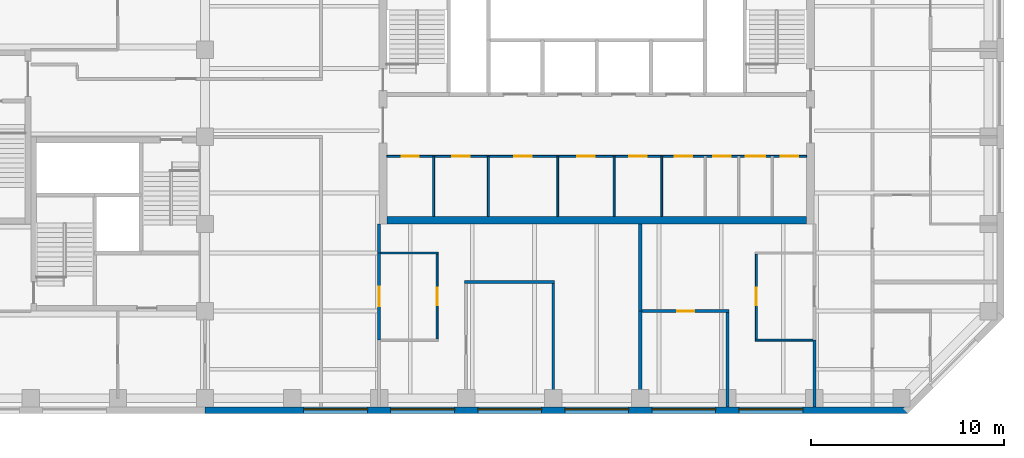
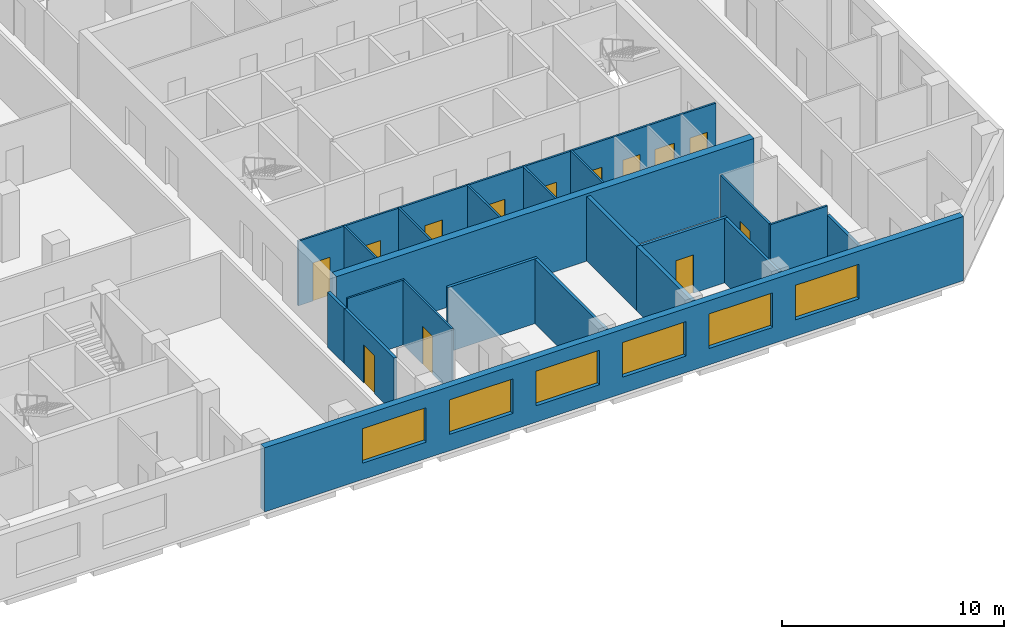
# One storey, part 4 of 9: 21 walls, 13 doors, 6 windows, 19 openings.
"""IFC4 building model written with IfcOpenShell, lengths in metres."""

from ifc_helpers import new_model, si_unit, direction, frame, frame_2d, origin, place, context, subcontext, project, spatial, rectangle, extrude, material, layer, layer_set, constituent, constituent_set, type_object, element, fill, save


model = new_model("IFC4")

# Units and contexts
model_context = context("Model", 3, precision=1e-05, world=origin(), true_north=direction((0.0, 1.0)))
body_context = subcontext(model_context, "Body", "Model", "MODEL_VIEW")
ifc_project = project(units=[si_unit("LENGTHUNIT", "METRE"), si_unit("AREAUNIT", "SQUARE_METRE"), si_unit("VOLUMEUNIT", "CUBIC_METRE"), si_unit("PLANEANGLEUNIT", "RADIAN"), si_unit("MASSUNIT", "GRAM", prefix="KILO")], contexts=[model_context])

# Site, building, storey
site_placement = place(None, origin())
site = spatial("IfcSite", under=ifc_project, at=site_placement, CompositionType="ELEMENT")
building_placement = place(site_placement, origin())
building = spatial("IfcBuilding", under=site, at=building_placement, Name="Quoin Convention Tower", CompositionType="ELEMENT")
storey_placement = place(building_placement, frame((0.0, 0.0, 162.5)))
storey = spatial("IfcBuildingStorey", under=building, at=storey_placement, Name="L42", CompositionType="ELEMENT", Elevation=162.5)

# Wall, opening, door
ifc_material_1 = material(Name="Plasterboard")
ifc_layer_1 = layer(ifc_material_1, 0.012451171875, Name="Finish")
ifc_material_2 = material(Name="Steel stud framing", Category="steel")
ifc_layer_2 = layer(ifc_material_2, 0.125, Name="Structure")
ifc_layer_3 = layer(ifc_material_1, 0.012451171875, Name="Finish")
ifc_layer_set_1 = layer_set([ifc_layer_1, ifc_layer_2, ifc_layer_3], Name="Steel stud framing")
wall_type_1 = type_object("IfcWallType", Name="Acoustic partition 150", PredefinedType="PARTITIONING", material=ifc_layer_set_1)
wall_1_placement = place(storey_placement, frame((58.60009765625, 45.0, 0.0), z_axis=(0.0, 0.0, 1.0), x_axis=(1.0, 0.0, 0.0)))
wall_1 = element("IfcWall", 1, at=wall_1_placement, inside=storey, type_object=wall_type_1, Name="pw-L42-005", PredefinedType="PARTITIONING", context=body_context, shape_type="SweptSolid", body=[
    extrude(rectangle(XDim=4.474853515625, YDim=0.14990234375, at=frame_2d((2.2373046875, 0.0))), origin(), (0.0, 0.0, 1.0), 3.550048828125),
])
opening_1_placement = place(wall_1_placement, frame((1.800048828125, 0.0, 0.0)))
opening_1 = element("IfcOpeningElement", 2, at=opening_1_placement, cuts=wall_1, Name="Opening DOH3-01", PredefinedType="OPENING", context=body_context, shape_type="SweptSolid", body=[
    extrude(rectangle(XDim=0.89990234375, YDim=2.10009765625, at=frame_2d((0.449951171875, 1.050048828125))), frame((0.0, 0.0849609375, 0.0), z_axis=(0.0, -1.0, 0.0), x_axis=(1.0, 0.0, 0.0)), (0.0, 0.0, 1.0), 0.169921875),
])
ifc_material_3 = material(Name="Steel door leaf", Category="steel")
door_type_1 = type_object("IfcDoorType", Name="Office door 900 x 2100", OperationType="SINGLE_SWING_RIGHT", PredefinedType="DOOR", material=ifc_material_3)
door_1_placement = place(opening_1_placement, origin())
door_1 = element("IfcDoor", 3, at=door_1_placement, inside=storey, type_object=door_type_1, Name="dr-L42-13", OperationType="SINGLE_SWING_RIGHT", OverallHeight=2.10009765625, OverallWidth=0.89990234375, PredefinedType="DOOR", context=body_context, shape_type="SweptSolid", body=[
    extrude(rectangle(XDim=0.89990234375, YDim=2.10009765625, at=frame_2d((0.449951171875, 1.050048828125))), frame((0.0, 0.02490234375, 0.0), z_axis=(0.0, -1.0, 0.0), x_axis=(1.0, 0.0, 0.0)), (0.0, 0.0, 1.0), 0.050048828125),
])
fill(opening_1, door_1)

# Walls
wall_2_placement = place(storey_placement, frame((49.425048828125, 46.5, 0.0), z_axis=(0.0, 0.0, 1.0), x_axis=(1.0, 0.0, 0.0)))
element("IfcWall", 4, at=wall_2_placement, inside=storey, type_object=wall_type_1, Name="pw-L42-008", PredefinedType="PARTITIONING", context=body_context, shape_type="SweptSolid", body=[
    extrude(rectangle(XDim=4.64990234375, YDim=0.14990234375, at=frame_2d((2.324951171875, 0.0))), origin(), (0.0, 0.0, 1.0), 3.550048828125),
])
wall_3_placement = place(storey_placement, frame((54.0, 40.050048828125, 0.0), z_axis=(0.0, 0.0, 1.0), x_axis=(0.0, 1.0, 0.0)))
element("IfcWall", 5, at=wall_3_placement, inside=storey, type_object=wall_type_1, Name="pw-L42-040", PredefinedType="PARTITIONING", context=body_context, shape_type="SweptSolid", body=[
    extrude(rectangle(XDim=6.375, YDim=0.14990234375, at=frame_2d((3.1875, 0.0))), origin(), (0.0, 0.0, 1.0), 3.550048828125),
])
wall_4_placement = place(storey_placement, frame((63.0, 40.050048828125, 0.0), z_axis=(0.0, 0.0, 1.0), x_axis=(0.0, 1.0, 0.0)))
element("IfcWall", 6, at=wall_4_placement, inside=storey, type_object=wall_type_1, Name="pw-L42-042", PredefinedType="PARTITIONING", context=body_context, shape_type="SweptSolid", body=[
    extrude(rectangle(XDim=4.875, YDim=0.14990234375, at=frame_2d((2.4375, 0.0))), origin(), (0.0, 0.0, 1.0), 3.550048828125),
])

# Wall, openings, windows
ifc_material_4 = material(Name="Brick masonry", Category="masonry")
ifc_layer_4 = layer(ifc_material_4, 0.35009765625)
ifc_layer_set_2 = layer_set([ifc_layer_4], Name="Brick masonry")
wall_type_2 = type_object("IfcWallType", Name="Brick facade wall", PredefinedType="STANDARD", material=ifc_layer_set_2)
wall_5_placement = place(storey_placement, frame((36.0, 39.875, 0.0), z_axis=(0.0, 0.0, 1.0), x_axis=(1.0, 0.0, 0.0)))
wall_5 = element("IfcWall", 7, at=wall_5_placement, inside=storey, type_object=wall_type_2, Name="fw-L42-36000_40500", PredefinedType="STANDARD", context=body_context, shape_type="SweptSolid", body=[
    extrude(rectangle(XDim=36.331298828125, YDim=0.35009765625, at=frame_2d((18.16552734375, 0.0))), origin(), (0.0, 0.0, 1.0), 3.52490234375),
])
opening_2_placement = place(wall_5_placement, frame((5.10009765625, 0.0, 0.89990234375)))
opening_2 = element("IfcOpeningElement", 8, at=opening_2_placement, cuts=wall_5, Name="Opening W-02", PredefinedType="OPENING", context=body_context, shape_type="SweptSolid", body=[
    extrude(rectangle(XDim=3.300048828125, YDim=1.89990234375, at=frame_2d((1.64990234375, 0.949951171875))), frame((0.0, 0.18505859375, 0.0), z_axis=(0.0, -1.0, 0.0), x_axis=(1.0, 0.0, 0.0)), (0.0, 0.0, 1.0), 0.3701171875),
])
opening_3_placement = place(wall_5_placement, frame((9.60009765625, 0.0, 0.89990234375)))
opening_3 = element("IfcOpeningElement", 9, at=opening_3_placement, cuts=wall_5, Name="Opening W-02", PredefinedType="OPENING", context=body_context, shape_type="SweptSolid", body=[
    extrude(rectangle(XDim=3.300048828125, YDim=1.89990234375, at=frame_2d((1.64990234375, 0.949951171875))), frame((0.0, 0.18505859375, 0.0), z_axis=(0.0, -1.0, 0.0), x_axis=(1.0, 0.0, 0.0)), (0.0, 0.0, 1.0), 0.3701171875),
])
opening_4_placement = place(wall_5_placement, frame((14.10009765625, 0.0, 0.89990234375)))
opening_4 = element("IfcOpeningElement", 10, at=opening_4_placement, cuts=wall_5, Name="Opening W-02", PredefinedType="OPENING", context=body_context, shape_type="SweptSolid", body=[
    extrude(rectangle(XDim=3.300048828125, YDim=1.89990234375, at=frame_2d((1.64990234375, 0.949951171875))), frame((0.0, 0.18505859375, 0.0), z_axis=(0.0, -1.0, 0.0), x_axis=(1.0, 0.0, 0.0)), (0.0, 0.0, 1.0), 0.3701171875),
])
opening_5_placement = place(wall_5_placement, frame((18.60009765625, 0.0, 0.89990234375)))
opening_5 = element("IfcOpeningElement", 11, at=opening_5_placement, cuts=wall_5, Name="Opening W-02", PredefinedType="OPENING", context=body_context, shape_type="SweptSolid", body=[
    extrude(rectangle(XDim=3.300048828125, YDim=1.89990234375, at=frame_2d((1.64990234375, 0.949951171875))), frame((0.0, 0.18505859375, 0.0), z_axis=(0.0, -1.0, 0.0), x_axis=(1.0, 0.0, 0.0)), (0.0, 0.0, 1.0), 0.3701171875),
])
opening_6_placement = place(wall_5_placement, frame((23.10009765625, 0.0, 0.89990234375)))
opening_6 = element("IfcOpeningElement", 12, at=opening_6_placement, cuts=wall_5, Name="Opening W-02", PredefinedType="OPENING", context=body_context, shape_type="SweptSolid", body=[
    extrude(rectangle(XDim=3.300048828125, YDim=1.89990234375, at=frame_2d((1.64990234375, 0.949951171875))), frame((0.0, 0.18505859375, 0.0), z_axis=(0.0, -1.0, 0.0), x_axis=(1.0, 0.0, 0.0)), (0.0, 0.0, 1.0), 0.3701171875),
])
opening_7_placement = place(wall_5_placement, frame((27.60009765625, 0.0, 0.89990234375)))
opening_7 = element("IfcOpeningElement", 13, at=opening_7_placement, cuts=wall_5, Name="Opening W-02", PredefinedType="OPENING", context=body_context, shape_type="SweptSolid", body=[
    extrude(rectangle(XDim=3.300048828125, YDim=1.89990234375, at=frame_2d((1.64990234375, 0.949951171875))), frame((0.0, 0.18505859375, 0.0), z_axis=(0.0, -1.0, 0.0), x_axis=(1.0, 0.0, 0.0)), (0.0, 0.0, 1.0), 0.3701171875),
])
ifc_material_5 = material(Name="Aluminium", Category="aluminium")
ifc_constituent_1 = constituent(ifc_material_5, Name="Frame")
ifc_material_6 = material(Name="Insulated glass", Category="glass")
ifc_constituent_2 = constituent(ifc_material_6, Name="Glazing")
ifc_constituent_set = constituent_set(constituents=[ifc_constituent_1, ifc_constituent_2], Name="Aluminium")
window_type = type_object("IfcWindowType", Name="Office window", PartitioningType="DOUBLE_PANEL_VERTICAL", PredefinedType="WINDOW", material=ifc_constituent_set)
window_1_placement = place(opening_2_placement, origin())
window_1 = element("IfcWindow", 14, at=window_1_placement, inside=storey, type_object=window_type, Name="win-L42-42750_39875", OverallHeight=1.89990234375, OverallWidth=3.300048828125, PartitioningType="SINGLE_PANEL", PredefinedType="WINDOW", context=body_context, shape_type="SweptSolid", body=[
    extrude(rectangle(XDim=3.300048828125, YDim=1.89990234375, at=frame_2d((1.64990234375, 0.949951171875))), frame((0.0, 0.0849609375, 0.0), z_axis=(0.0, -1.0, 0.0), x_axis=(1.0, 0.0, 0.0)), (0.0, 0.0, 1.0), 0.06005859375),
])
fill(opening_2, window_1)
window_2_placement = place(opening_3_placement, origin())
window_2 = element("IfcWindow", 15, at=window_2_placement, inside=storey, type_object=window_type, Name="win-L42-47250_39875", OverallHeight=1.89990234375, OverallWidth=3.300048828125, PartitioningType="SINGLE_PANEL", PredefinedType="WINDOW", context=body_context, shape_type="SweptSolid", body=[
    extrude(rectangle(XDim=3.300048828125, YDim=1.89990234375, at=frame_2d((1.64990234375, 0.949951171875))), frame((0.0, 0.0849609375, 0.0), z_axis=(0.0, -1.0, 0.0), x_axis=(1.0, 0.0, 0.0)), (0.0, 0.0, 1.0), 0.06005859375),
])
fill(opening_3, window_2)
window_3_placement = place(opening_4_placement, origin())
window_3 = element("IfcWindow", 16, at=window_3_placement, inside=storey, type_object=window_type, Name="win-L42-51750_39875", OverallHeight=1.89990234375, OverallWidth=3.300048828125, PartitioningType="SINGLE_PANEL", PredefinedType="WINDOW", context=body_context, shape_type="SweptSolid", body=[
    extrude(rectangle(XDim=3.300048828125, YDim=1.89990234375, at=frame_2d((1.64990234375, 0.949951171875))), frame((0.0, 0.0849609375, 0.0), z_axis=(0.0, -1.0, 0.0), x_axis=(1.0, 0.0, 0.0)), (0.0, 0.0, 1.0), 0.06005859375),
])
fill(opening_4, window_3)
window_4_placement = place(opening_5_placement, origin())
window_4 = element("IfcWindow", 17, at=window_4_placement, inside=storey, type_object=window_type, Name="win-L42-56250_39875", OverallHeight=1.89990234375, OverallWidth=3.300048828125, PartitioningType="SINGLE_PANEL", PredefinedType="WINDOW", context=body_context, shape_type="SweptSolid", body=[
    extrude(rectangle(XDim=3.300048828125, YDim=1.89990234375, at=frame_2d((1.64990234375, 0.949951171875))), frame((0.0, 0.0849609375, 0.0), z_axis=(0.0, -1.0, 0.0), x_axis=(1.0, 0.0, 0.0)), (0.0, 0.0, 1.0), 0.06005859375),
])
fill(opening_5, window_4)
window_5_placement = place(opening_6_placement, origin())
window_5 = element("IfcWindow", 18, at=window_5_placement, inside=storey, type_object=window_type, Name="win-L42-60750_39875", OverallHeight=1.89990234375, OverallWidth=3.300048828125, PartitioningType="SINGLE_PANEL", PredefinedType="WINDOW", context=body_context, shape_type="SweptSolid", body=[
    extrude(rectangle(XDim=3.300048828125, YDim=1.89990234375, at=frame_2d((1.64990234375, 0.949951171875))), frame((0.0, 0.0849609375, 0.0), z_axis=(0.0, -1.0, 0.0), x_axis=(1.0, 0.0, 0.0)), (0.0, 0.0, 1.0), 0.06005859375),
])
fill(opening_6, window_5)
window_6_placement = place(opening_7_placement, origin())
window_6 = element("IfcWindow", 19, at=window_6_placement, inside=storey, type_object=window_type, Name="win-L42-65250_39875", OverallHeight=1.89990234375, OverallWidth=3.300048828125, PartitioningType="SINGLE_PANEL", PredefinedType="WINDOW", context=body_context, shape_type="SweptSolid", body=[
    extrude(rectangle(XDim=3.300048828125, YDim=1.89990234375, at=frame_2d((1.64990234375, 0.949951171875))), frame((0.0, 0.0849609375, 0.0), z_axis=(0.0, -1.0, 0.0), x_axis=(1.0, 0.0, 0.0)), (0.0, 0.0, 1.0), 0.06005859375),
])
fill(opening_7, window_6)

# Wall, openings, doors
ifc_layer_5 = layer(ifc_material_1, 0.012451171875, Name="Finish")
ifc_layer_6 = layer(ifc_material_2, 0.074951171875, Name="Structure")
ifc_layer_7 = layer(ifc_material_1, 0.012451171875, Name="Finish")
ifc_layer_set_3 = layer_set([ifc_layer_5, ifc_layer_6, ifc_layer_7], Name="Steel stud framing")
wall_type_3 = type_object("IfcWallType", Name="Core partition wall", PredefinedType="PARTITIONING", material=ifc_layer_set_3)
wall_6_placement = place(storey_placement, frame((45.39990234375, 53.0, 0.0), z_axis=(0.0, 0.0, 1.0), x_axis=(1.0, 0.0, 0.0)))
wall_6 = element("IfcWall", 20, at=wall_6_placement, inside=storey, type_object=wall_type_3, Name="cr-C1-L42-h3500_400", PredefinedType="PARTITIONING", context=body_context, shape_type="SweptSolid", body=[
    extrude(rectangle(XDim=21.7001953125, YDim=0.10009765625, at=frame_2d((10.85009765625, 0.0))), origin(), (0.0, 0.0, 1.0), 3.550048828125),
])
opening_8_placement = place(wall_6_placement, frame((20.357421875, 0.0, 0.0)))
opening_8 = element("IfcOpeningElement", 21, at=opening_8_placement, cuts=wall_6, Name="Opening DCV2-32", PredefinedType="OPENING", context=body_context, shape_type="SweptSolid", body=[
    extrude(rectangle(XDim=0.89990234375, YDim=2.10009765625, at=frame_2d((0.449951171875, 1.050048828125))), frame((0.0, 0.06005859375, 0.0), z_axis=(0.0, -1.0, 0.0), x_axis=(1.0, 0.0, 0.0)), (0.0, 0.0, 1.0), 0.1201171875),
])
opening_9_placement = place(wall_6_placement, frame((18.548828125, 0.0, 0.0)))
opening_9 = element("IfcOpeningElement", 22, at=opening_9_placement, cuts=wall_6, Name="Opening DCV2-31", PredefinedType="OPENING", context=body_context, shape_type="SweptSolid", body=[
    extrude(rectangle(XDim=1.0, YDim=2.10009765625, at=frame_2d((0.5, 1.050048828125))), frame((0.0, 0.06005859375, 0.0), z_axis=(0.0, -1.0, 0.0), x_axis=(1.0, 0.0, 0.0)), (0.0, 0.0, 1.0), 0.1201171875),
])
opening_10_placement = place(wall_6_placement, frame((16.8662109375, 0.0, 0.0)))
opening_10 = element("IfcOpeningElement", 23, at=opening_10_placement, cuts=wall_6, Name="Opening DCV2-30", PredefinedType="OPENING", context=body_context, shape_type="SweptSolid", body=[
    extrude(rectangle(XDim=0.89990234375, YDim=2.10009765625, at=frame_2d((0.449951171875, 1.050048828125))), frame((0.0, 0.06005859375, 0.0), z_axis=(0.0, -1.0, 0.0), x_axis=(1.0, 0.0, 0.0)), (0.0, 0.0, 1.0), 0.1201171875),
])
opening_11_placement = place(wall_6_placement, frame((0.757568359375, 0.0, 0.0)))
opening_11 = element("IfcOpeningElement", 24, at=opening_11_placement, cuts=wall_6, Name="Opening DCV2-22", PredefinedType="OPENING", context=body_context, shape_type="SweptSolid", body=[
    extrude(rectangle(XDim=0.89990234375, YDim=2.10009765625, at=frame_2d((0.449951171875, 1.050048828125))), frame((0.0, 0.06005859375, 0.0), z_axis=(0.0, -1.0, 0.0), x_axis=(1.0, 0.0, 0.0)), (0.0, 0.0, 1.0), 0.1201171875),
])
opening_12_placement = place(wall_6_placement, frame((3.382568359375, 0.0, 0.0)))
opening_12 = element("IfcOpeningElement", 25, at=opening_12_placement, cuts=wall_6, Name="Opening DCV2-23", PredefinedType="OPENING", context=body_context, shape_type="SweptSolid", body=[
    extrude(rectangle(XDim=0.89990234375, YDim=2.10009765625, at=frame_2d((0.449951171875, 1.050048828125))), frame((0.0, 0.06005859375, 0.0), z_axis=(0.0, -1.0, 0.0), x_axis=(1.0, 0.0, 0.0)), (0.0, 0.0, 1.0), 0.1201171875),
])
opening_13_placement = place(wall_6_placement, frame((6.592041015625, 0.0, 0.0)))
opening_13 = element("IfcOpeningElement", 26, at=opening_13_placement, cuts=wall_6, Name="Opening DCV2-24", PredefinedType="OPENING", context=body_context, shape_type="SweptSolid", body=[
    extrude(rectangle(XDim=0.89990234375, YDim=2.10009765625, at=frame_2d((0.449951171875, 1.050048828125))), frame((0.0, 0.06005859375, 0.0), z_axis=(0.0, -1.0, 0.0), x_axis=(1.0, 0.0, 0.0)), (0.0, 0.0, 1.0), 0.1201171875),
])
opening_14_placement = place(wall_6_placement, frame((9.840087890625, 0.0, 0.0)))
opening_14 = element("IfcOpeningElement", 27, at=opening_14_placement, cuts=wall_6, Name="Opening DCV2-26", PredefinedType="OPENING", context=body_context, shape_type="SweptSolid", body=[
    extrude(rectangle(XDim=0.89990234375, YDim=2.10009765625, at=frame_2d((0.449951171875, 1.050048828125))), frame((0.0, 0.06005859375, 0.0), z_axis=(0.0, -1.0, 0.0), x_axis=(1.0, 0.0, 0.0)), (0.0, 0.0, 1.0), 0.1201171875),
])
opening_15_placement = place(wall_6_placement, frame((12.528076171875, 0.0, 0.0)))
opening_15 = element("IfcOpeningElement", 28, at=opening_15_placement, cuts=wall_6, Name="Opening DCV2-27", PredefinedType="OPENING", context=body_context, shape_type="SweptSolid", body=[
    extrude(rectangle(XDim=0.89990234375, YDim=2.10009765625, at=frame_2d((0.449951171875, 1.050048828125))), frame((0.0, 0.06005859375, 0.0), z_axis=(0.0, -1.0, 0.0), x_axis=(1.0, 0.0, 0.0)), (0.0, 0.0, 1.0), 0.1201171875),
])
opening_16_placement = place(wall_6_placement, frame((14.8798828125, 0.0, 0.0)))
opening_16 = element("IfcOpeningElement", 29, at=opening_16_placement, cuts=wall_6, Name="Opening DCV2-29", PredefinedType="OPENING", context=body_context, shape_type="SweptSolid", body=[
    extrude(rectangle(XDim=0.89990234375, YDim=2.10009765625, at=frame_2d((0.449951171875, 1.050048828125))), frame((0.0, 0.06005859375, 0.0), z_axis=(0.0, -1.0, 0.0), x_axis=(1.0, 0.0, 0.0)), (0.0, 0.0, 1.0), 0.1201171875),
])
door_type_2 = type_object("IfcDoorType", Name="Core room door 1000 x 2100", OperationType="SINGLE_SWING_LEFT", PredefinedType="DOOR", material=ifc_material_3)
door_2_placement = place(opening_9_placement, frame((1.0, 0.0, 0.0), z_axis=(0.0, 0.0, 1.0), x_axis=(-1.0, 0.0, 0.0)))
door_2 = element("IfcDoor", 30, at=door_2_placement, inside=storey, type_object=door_type_2, Name="cd-C1-L42-CSE1-lobA-CD4211", OperationType="SINGLE_SWING_LEFT", OverallHeight=2.10009765625, OverallWidth=1.0, PredefinedType="DOOR", context=body_context, shape_type="SweptSolid", body=[
    extrude(rectangle(XDim=1.0, YDim=2.10009765625, at=frame_2d((0.5, 1.050048828125))), frame((0.0, 0.02490234375, 0.0), z_axis=(0.0, -1.0, 0.0), x_axis=(1.0, 0.0, 0.0)), (0.0, 0.0, 1.0), 0.050048828125),
])
fill(opening_9, door_2)
door_type_3 = type_object("IfcDoorType", Name="Core room door 900 x 2100", OperationType="SINGLE_SWING_LEFT", PredefinedType="DOOR", material=ifc_material_3)
door_3_placement = place(opening_8_placement, frame((0.89990234375, 0.0, 0.0), z_axis=(0.0, 0.0, 1.0), x_axis=(-1.0, 0.0, 0.0)))
door_3 = element("IfcDoor", 31, at=door_3_placement, inside=storey, type_object=door_type_3, Name="cd-C1-L42-CSE0-lobA-CD4210", OperationType="SINGLE_SWING_LEFT", OverallHeight=2.10009765625, OverallWidth=0.89990234375, PredefinedType="DOOR", context=body_context, shape_type="SweptSolid", body=[
    extrude(rectangle(XDim=0.89990234375, YDim=2.10009765625, at=frame_2d((0.449951171875, 1.050048828125))), frame((0.0, 0.02490234375, 0.0), z_axis=(0.0, -1.0, 0.0), x_axis=(1.0, 0.0, 0.0)), (0.0, 0.0, 1.0), 0.050048828125),
])
fill(opening_8, door_3)
door_4_placement = place(opening_10_placement, frame((0.89990234375, 0.0, 0.0), z_axis=(0.0, 0.0, 1.0), x_axis=(-1.0, 0.0, 0.0)))
door_4 = element("IfcDoor", 32, at=door_4_placement, inside=storey, type_object=door_type_3, Name="cd-C1-L42-CSE2-lobA-CD4212", OperationType="SINGLE_SWING_LEFT", OverallHeight=2.10009765625, OverallWidth=0.89990234375, PredefinedType="DOOR", context=body_context, shape_type="SweptSolid", body=[
    extrude(rectangle(XDim=0.89990234375, YDim=2.10009765625, at=frame_2d((0.449951171875, 1.050048828125))), frame((0.0, 0.02490234375, 0.0), z_axis=(0.0, -1.0, 0.0), x_axis=(1.0, 0.0, 0.0)), (0.0, 0.0, 1.0), 0.050048828125),
])
fill(opening_10, door_4)
door_5_placement = place(opening_11_placement, frame((0.89990234375, 0.0, 0.0), z_axis=(0.0, 0.0, 1.0), x_axis=(-1.0, 0.0, 0.0)))
door_5 = element("IfcDoor", 33, at=door_5_placement, inside=storey, type_object=door_type_3, Name="cd-C1-L42-CSW0-lobA-CD4213", OperationType="SINGLE_SWING_LEFT", OverallHeight=2.10009765625, OverallWidth=0.89990234375, PredefinedType="DOOR", context=body_context, shape_type="SweptSolid", body=[
    extrude(rectangle(XDim=0.89990234375, YDim=2.10009765625, at=frame_2d((0.449951171875, 1.050048828125))), frame((0.0, 0.02490234375, 0.0), z_axis=(0.0, -1.0, 0.0), x_axis=(1.0, 0.0, 0.0)), (0.0, 0.0, 1.0), 0.050048828125),
])
fill(opening_11, door_5)
door_6_placement = place(opening_12_placement, frame((0.89990234375, 0.0, 0.0), z_axis=(0.0, 0.0, 1.0), x_axis=(-1.0, 0.0, 0.0)))
door_6 = element("IfcDoor", 34, at=door_6_placement, inside=storey, type_object=door_type_3, Name="cd-C1-L42-CSW1-lobA-CD4214", OperationType="SINGLE_SWING_LEFT", OverallHeight=2.10009765625, OverallWidth=0.89990234375, PredefinedType="DOOR", context=body_context, shape_type="SweptSolid", body=[
    extrude(rectangle(XDim=0.89990234375, YDim=2.10009765625, at=frame_2d((0.449951171875, 1.050048828125))), frame((0.0, 0.02490234375, 0.0), z_axis=(0.0, -1.0, 0.0), x_axis=(1.0, 0.0, 0.0)), (0.0, 0.0, 1.0), 0.050048828125),
])
fill(opening_12, door_6)
door_7_placement = place(opening_13_placement, frame((0.89990234375, 0.0, 0.0), z_axis=(0.0, 0.0, 1.0), x_axis=(-1.0, 0.0, 0.0)))
door_7 = element("IfcDoor", 35, at=door_7_placement, inside=storey, type_object=door_type_3, Name="cd-C1-L42-F10-lobA-CD4215", OperationType="SINGLE_SWING_LEFT", OverallHeight=2.10009765625, OverallWidth=0.89990234375, PredefinedType="DOOR", context=body_context, shape_type="SweptSolid", body=[
    extrude(rectangle(XDim=0.89990234375, YDim=2.10009765625, at=frame_2d((0.449951171875, 1.050048828125))), frame((0.0, 0.02490234375, 0.0), z_axis=(0.0, -1.0, 0.0), x_axis=(1.0, 0.0, 0.0)), (0.0, 0.0, 1.0), 0.050048828125),
])
fill(opening_13, door_7)
door_8_placement = place(opening_14_placement, frame((0.89990234375, 0.0, 0.0), z_axis=(0.0, 0.0, 1.0), x_axis=(-1.0, 0.0, 0.0)))
door_8 = element("IfcDoor", 36, at=door_8_placement, inside=storey, type_object=door_type_3, Name="cd-C1-L42-F11-lobA-CD4216", OperationType="SINGLE_SWING_LEFT", OverallHeight=2.10009765625, OverallWidth=0.89990234375, PredefinedType="DOOR", context=body_context, shape_type="SweptSolid", body=[
    extrude(rectangle(XDim=0.89990234375, YDim=2.10009765625, at=frame_2d((0.449951171875, 1.050048828125))), frame((0.0, 0.02490234375, 0.0), z_axis=(0.0, -1.0, 0.0), x_axis=(1.0, 0.0, 0.0)), (0.0, 0.0, 1.0), 0.050048828125),
])
fill(opening_14, door_8)
door_9_placement = place(opening_15_placement, frame((0.89990234375, 0.0, 0.0), z_axis=(0.0, 0.0, 1.0), x_axis=(-1.0, 0.0, 0.0)))
door_9 = element("IfcDoor", 37, at=door_9_placement, inside=storey, type_object=door_type_3, Name="cd-C1-L42-F12-lobA-CD4217", OperationType="SINGLE_SWING_LEFT", OverallHeight=2.10009765625, OverallWidth=0.89990234375, PredefinedType="DOOR", context=body_context, shape_type="SweptSolid", body=[
    extrude(rectangle(XDim=0.89990234375, YDim=2.10009765625, at=frame_2d((0.449951171875, 1.050048828125))), frame((0.0, 0.02490234375, 0.0), z_axis=(0.0, -1.0, 0.0), x_axis=(1.0, 0.0, 0.0)), (0.0, 0.0, 1.0), 0.050048828125),
])
fill(opening_15, door_9)
door_10_placement = place(opening_16_placement, frame((0.89990234375, 0.0, 0.0), z_axis=(0.0, 0.0, 1.0), x_axis=(-1.0, 0.0, 0.0)))
door_10 = element("IfcDoor", 38, at=door_10_placement, inside=storey, type_object=door_type_3, Name="cd-C1-L42-F13-lobA-CD4218", OperationType="SINGLE_SWING_LEFT", OverallHeight=2.10009765625, OverallWidth=0.89990234375, PredefinedType="DOOR", context=body_context, shape_type="SweptSolid", body=[
    extrude(rectangle(XDim=0.89990234375, YDim=2.10009765625, at=frame_2d((0.449951171875, 1.050048828125))), frame((0.0, 0.02490234375, 0.0), z_axis=(0.0, -1.0, 0.0), x_axis=(1.0, 0.0, 0.0)), (0.0, 0.0, 1.0), 0.050048828125),
])
fill(opening_16, door_10)

# Walls
for number, where, z_axis, x_axis, name in (
    (39, (47.81494140625, 49.89990234375, 0.0), (0.0, 0.0, 1.0), (0.0, 1.0, 0.0), "cr-C1-L42-v2815_400"),
    (40, (50.64990234375, 49.89990234375, 0.0), (0.0, 0.0, 1.0), (0.0, 1.0, 0.0), "cr-C1-L42-v5650_400"),
    (41, (54.23388671875, 49.89990234375, 0.0), (0.0, 0.0, 1.0), (0.0, 1.0, 0.0), "cr-C1-L42-v9234_400"),
    (42, (57.14599609375, 49.89990234375, 0.0), (0.0, 0.0, 1.0), (0.0, 1.0, 0.0), "cr-C1-L42-v12146_400"),
    (43, (59.610107421875, 49.89990234375, 0.0), (0.0, 0.0, 1.0), (0.0, 1.0, 0.0), "cr-C1-L42-v14610_400"),
):
    element("IfcWall", number, at=place(storey_placement, frame(where, z_axis=z_axis, x_axis=x_axis)), inside=storey, type_object=wall_type_3, Name=name, PredefinedType="PARTITIONING", context=body_context, shape_type="SweptSolid", body=[
        extrude(rectangle(XDim=3.10009765625, YDim=0.10009765625, at=frame_2d((1.550048828125, 0.0))), origin(), (0.0, 0.0, 1.0), 3.550048828125),
    ])
ifc_layer_8 = layer(ifc_material_1, 0.012451171875, Name="Finish")
ifc_layer_9 = layer(ifc_material_2, 0.125, Name="Structure")
ifc_layer_10 = layer(ifc_material_1, 0.012451171875, Name="Finish")
ifc_layer_set_4 = layer_set([ifc_layer_8, ifc_layer_9, ifc_layer_10], Name="Steel stud framing")
wall_type_4 = type_object("IfcWallType", Name="Corridor wall 150 under beam 528", PredefinedType="PARTITIONING", material=ifc_layer_set_4)
wall_7_placement = place(storey_placement, frame((67.5, 40.050048828125, 0.0), z_axis=(0.0, 0.0, 1.0), x_axis=(0.0, 1.0, 0.0)))
element("IfcWall", 44, at=wall_7_placement, inside=storey, type_object=wall_type_4, Name="pw-L42-043", PredefinedType="PARTITIONING", context=body_context, shape_type="SweptSolid", body=[
    extrude(rectangle(XDim=3.449951171875, YDim=0.14990234375, at=frame_2d((1.72509765625, 0.0))), origin(), (0.0, 0.0, 1.0), 3.02197265625),
])

# Wall, opening, door
wall_8_placement = place(storey_placement, frame((45.0, 43.5, 0.0), z_axis=(0.0, 0.0, 1.0), x_axis=(0.0, 1.0, 0.0)))
wall_8 = element("IfcWall", 45, at=wall_8_placement, inside=storey, type_object=wall_type_4, Name="pw-L42-047", PredefinedType="PARTITIONING", context=body_context, shape_type="SweptSolid", body=[
    extrude(rectangle(XDim=4.5, YDim=0.14990234375, at=frame_2d((2.25, 0.0))), origin(), (0.0, 0.0, 1.0), 3.02197265625),
])
opening_17_placement = place(wall_8_placement, frame((1.75, 0.0, 0.0)))
opening_17 = element("IfcOpeningElement", 46, at=opening_17_placement, cuts=wall_8, Name="Opening DOH3-12", PredefinedType="OPENING", context=body_context, shape_type="SweptSolid", body=[
    extrude(rectangle(XDim=1.0, YDim=2.10009765625, at=frame_2d((0.5, 1.050048828125))), frame((0.0, 0.0849609375, 0.0), z_axis=(0.0, -1.0, 0.0), x_axis=(1.0, 0.0, 0.0)), (0.0, 0.0, 1.0), 0.169921875),
])
door_type_4 = type_object("IfcDoorType", Name="Tenancy entrance door 1000 x 2100", OperationType="DOUBLE_DOOR_SINGLE_SWING", PredefinedType="DOOR", material=ifc_material_3)
door_11_placement = place(opening_17_placement, frame((1.0, 0.0, 0.0), z_axis=(0.0, 0.0, 1.0), x_axis=(-1.0, 0.0, 0.0)))
door_11 = element("IfcDoor", 47, at=door_11_placement, inside=storey, type_object=door_type_4, Name="dr-L42-08", OperationType="DOUBLE_DOOR_SINGLE_SWING", OverallHeight=2.10009765625, OverallWidth=1.0, PredefinedType="DOOR", context=body_context, shape_type="SweptSolid", body=[
    extrude(rectangle(XDim=1.0, YDim=2.10009765625, at=frame_2d((0.5, 1.050048828125))), frame((0.0, 0.02490234375, 0.0), z_axis=(0.0, -1.0, 0.0), x_axis=(1.0, 0.0, 0.0)), (0.0, 0.0, 1.0), 0.050048828125),
])
fill(opening_17, door_11)

# Walls
wall_9_placement = place(storey_placement, frame((45.0, 48.0, 0.0), z_axis=(0.0, 0.0, 1.0), x_axis=(0.0, 1.0, 0.0)))
element("IfcWall", 48, at=wall_9_placement, inside=storey, type_object=wall_type_4, Name="pw-L42-058", PredefinedType="PARTITIONING", context=body_context, shape_type="SweptSolid", body=[
    extrude(rectangle(XDim=1.5, YDim=0.14990234375, at=frame_2d((0.75, 0.0))), origin(), (0.0, 0.0, 1.0), 3.02197265625),
])
ifc_material_7 = material(Name="Concrete C50", Category="concrete")
ifc_layer_11 = layer(ifc_material_7, 0.39990234375)
ifc_layer_set_5 = layer_set([ifc_layer_11], Name="Concrete C50")
wall_type_5 = type_object("IfcWallType", Name="RC CORE WALL 400 C50", PredefinedType="SHEAR", material=ifc_layer_set_5)
wall_10_placement = place(storey_placement, frame((45.39990234375, 49.699951171875, 0.0), z_axis=(0.0, 0.0, 1.0), x_axis=(1.0, 0.0, 0.0)))
element("IfcWall", 49, at=wall_10_placement, inside=storey, type_object=wall_type_5, Name="cwl-C1-L42-S", PredefinedType="SHEAR", context=body_context, shape_type="SweptSolid", body=[
    extrude(rectangle(XDim=21.7001953125, YDim=0.39990234375, at=frame_2d((10.85009765625, 0.0))), origin(), (0.0, 0.0, 1.0), 3.699951171875),
])
ifc_layer_12 = layer(ifc_material_1, 0.012451171875, Name="Finish")
ifc_layer_13 = layer(ifc_material_2, 0.074951171875, Name="Structure")
ifc_layer_14 = layer(ifc_material_1, 0.012451171875, Name="Finish")
ifc_layer_set_6 = layer_set([ifc_layer_12, ifc_layer_13, ifc_layer_14], Name="Steel stud framing")
wall_type_6 = type_object("IfcWallType", Name="Stud partition 100", PredefinedType="PARTITIONING", material=ifc_layer_set_6)
for number, where, z_axis, x_axis, name in (
    (50, (64.449951171875, 43.5, 0.0), (0.0, 0.0, 1.0), (1.0, 0.0, 0.0), "pw-L42-002"),
    (51, (45.074951171875, 48.0, 0.0), (0.0, 0.0, 1.0), (1.0, 0.0, 0.0), "pw-L42-010"),
):
    element("IfcWall", number, at=place(storey_placement, frame(where, z_axis=z_axis, x_axis=x_axis)), inside=storey, type_object=wall_type_6, Name=name, PredefinedType="PARTITIONING", context=body_context, shape_type="SweptSolid", body=[
        extrude(rectangle(XDim=2.97509765625, YDim=0.10009765625, at=frame_2d((1.487548828125, 0.0))), origin(), (0.0, 0.0, 1.0), 3.550048828125),
    ])

# Wall, opening, door
wall_11_placement = place(storey_placement, frame((48.0, 43.550048828125, 0.0), z_axis=(0.0, 0.0, 1.0), x_axis=(0.0, 1.0, 0.0)))
wall_11 = element("IfcWall", 52, at=wall_11_placement, inside=storey, type_object=wall_type_6, Name="pw-L42-049", PredefinedType="PARTITIONING", context=body_context, shape_type="SweptSolid", body=[
    extrude(rectangle(XDim=4.39990234375, YDim=0.10009765625, at=frame_2d((2.199951171875, 0.0))), origin(), (0.0, 0.0, 1.0), 3.550048828125),
])
opening_18_placement = place(wall_11_placement, frame((1.75, 0.0, 0.0)))
opening_18 = element("IfcOpeningElement", 53, at=opening_18_placement, cuts=wall_11, Name="Opening DOH3-14", PredefinedType="OPENING", context=body_context, shape_type="SweptSolid", body=[
    extrude(rectangle(XDim=0.89990234375, YDim=2.10009765625, at=frame_2d((0.449951171875, 1.050048828125))), frame((0.0, 0.06005859375, 0.0), z_axis=(0.0, -1.0, 0.0), x_axis=(1.0, 0.0, 0.0)), (0.0, 0.0, 1.0), 0.1201171875),
])
door_12_placement = place(opening_18_placement, frame((0.89990234375, 0.0, 0.0), z_axis=(0.0, 0.0, 1.0), x_axis=(-1.0, 0.0, 0.0)))
door_12 = element("IfcDoor", 54, at=door_12_placement, inside=storey, type_object=door_type_1, Name="dr-L42-09", OperationType="SINGLE_SWING_LEFT", OverallHeight=2.10009765625, OverallWidth=0.89990234375, PredefinedType="DOOR", context=body_context, shape_type="SweptSolid", body=[
    extrude(rectangle(XDim=0.89990234375, YDim=2.10009765625, at=frame_2d((0.449951171875, 1.050048828125))), frame((0.0, 0.02490234375, 0.0), z_axis=(0.0, -1.0, 0.0), x_axis=(1.0, 0.0, 0.0)), (0.0, 0.0, 1.0), 0.050048828125),
])
fill(opening_18, door_12)

wall_12_placement = place(storey_placement, frame((64.5, 43.550048828125, 0.0), z_axis=(0.0, 0.0, 1.0), x_axis=(0.0, 1.0, 0.0)))
wall_12 = element("IfcWall", 55, at=wall_12_placement, inside=storey, type_object=wall_type_6, Name="pw-L42-050", PredefinedType="PARTITIONING", context=body_context, shape_type="SweptSolid", body=[
    extrude(rectangle(XDim=4.39990234375, YDim=0.10009765625, at=frame_2d((2.199951171875, 0.0))), origin(), (0.0, 0.0, 1.0), 3.550048828125),
])
opening_19_placement = place(wall_12_placement, frame((1.75, 0.0, 0.0)))
opening_19 = element("IfcOpeningElement", 56, at=opening_19_placement, cuts=wall_12, Name="Opening DOH3-15", PredefinedType="OPENING", context=body_context, shape_type="SweptSolid", body=[
    extrude(rectangle(XDim=0.89990234375, YDim=2.10009765625, at=frame_2d((0.449951171875, 1.050048828125))), frame((0.0, 0.06005859375, 0.0), z_axis=(0.0, -1.0, 0.0), x_axis=(1.0, 0.0, 0.0)), (0.0, 0.0, 1.0), 0.1201171875),
])
door_13_placement = place(opening_19_placement, origin())
door_13 = element("IfcDoor", 57, at=door_13_placement, inside=storey, type_object=door_type_1, Name="dr-L42-12", OperationType="SINGLE_SWING_RIGHT", OverallHeight=2.10009765625, OverallWidth=0.89990234375, PredefinedType="DOOR", context=body_context, shape_type="SweptSolid", body=[
    extrude(rectangle(XDim=0.89990234375, YDim=2.10009765625, at=frame_2d((0.449951171875, 1.050048828125))), frame((0.0, 0.02490234375, 0.0), z_axis=(0.0, -1.0, 0.0), x_axis=(1.0, 0.0, 0.0)), (0.0, 0.0, 1.0), 0.050048828125),
])
fill(opening_19, door_13)

# Walls
ifc_layer_15 = layer(ifc_material_1, 0.012451171875, Name="Finish")
ifc_layer_16 = layer(ifc_material_2, 0.175048828125, Name="Structure")
ifc_layer_17 = layer(ifc_material_1, 0.012451171875, Name="Finish")
ifc_layer_set_7 = layer_set([ifc_layer_15, ifc_layer_16, ifc_layer_17], Name="Steel stud framing")
wall_type_7 = type_object("IfcWallType", Name="Tenancy demising wall 200", PredefinedType="PARTITIONING", material=ifc_layer_set_7)
wall_13_placement = place(storey_placement, frame((58.5, 40.050048828125, 0.0), z_axis=(0.0, 0.0, 1.0), x_axis=(0.0, 1.0, 0.0)))
element("IfcWall", 58, at=wall_13_placement, inside=storey, type_object=wall_type_7, Name="pw-L42-041", PredefinedType="PARTITIONING", context=body_context, shape_type="SweptSolid", body=[
    extrude(rectangle(XDim=4.949951171875, YDim=0.199951171875, at=frame_2d((2.47509765625, 0.0))), origin(), (0.0, 0.0, 1.0), 3.550048828125),
])
wall_14_placement = place(storey_placement, frame((58.5, 45.0, 0.0), z_axis=(0.0, 0.0, 1.0), x_axis=(0.0, 1.0, 0.0)))
element("IfcWall", 59, at=wall_14_placement, inside=storey, type_object=wall_type_7, Name="pw-L42-052", PredefinedType="PARTITIONING", context=body_context, shape_type="SweptSolid", body=[
    extrude(rectangle(XDim=4.5, YDim=0.199951171875, at=frame_2d((2.25, 0.0))), origin(), (0.0, 0.0, 1.0), 3.550048828125),
])

save(model, "model.ifc")
